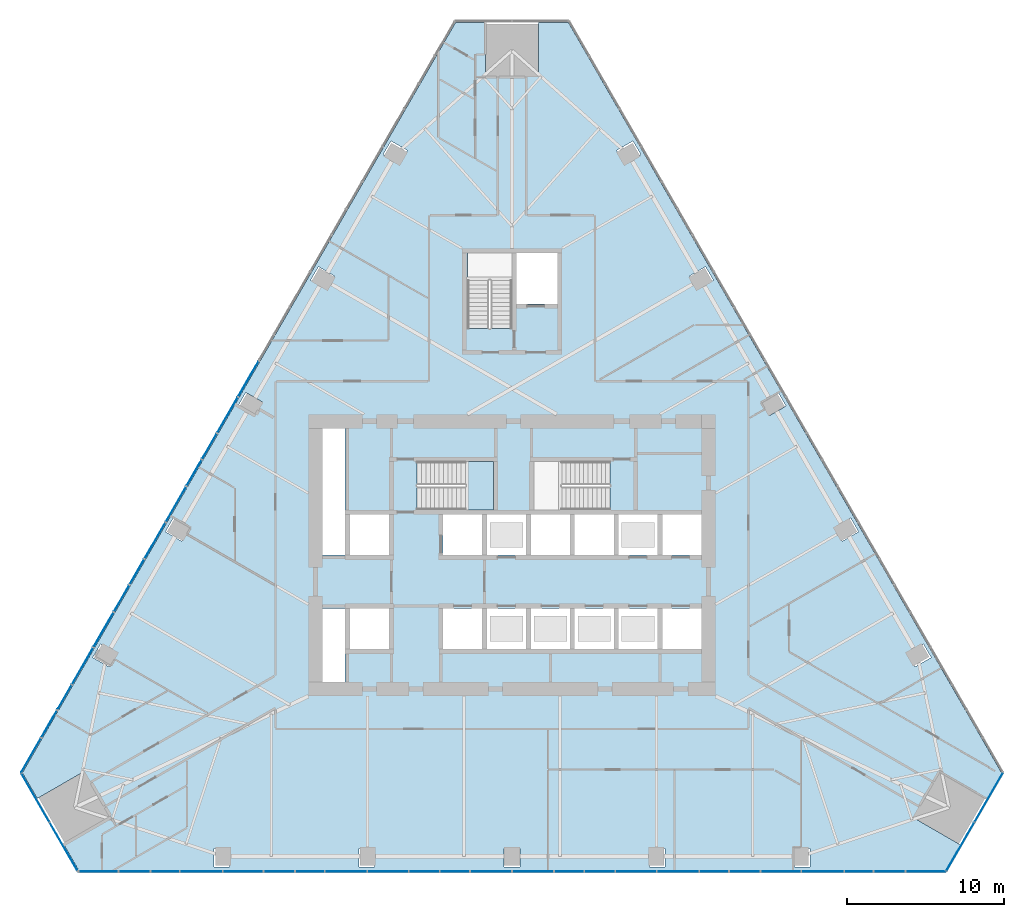
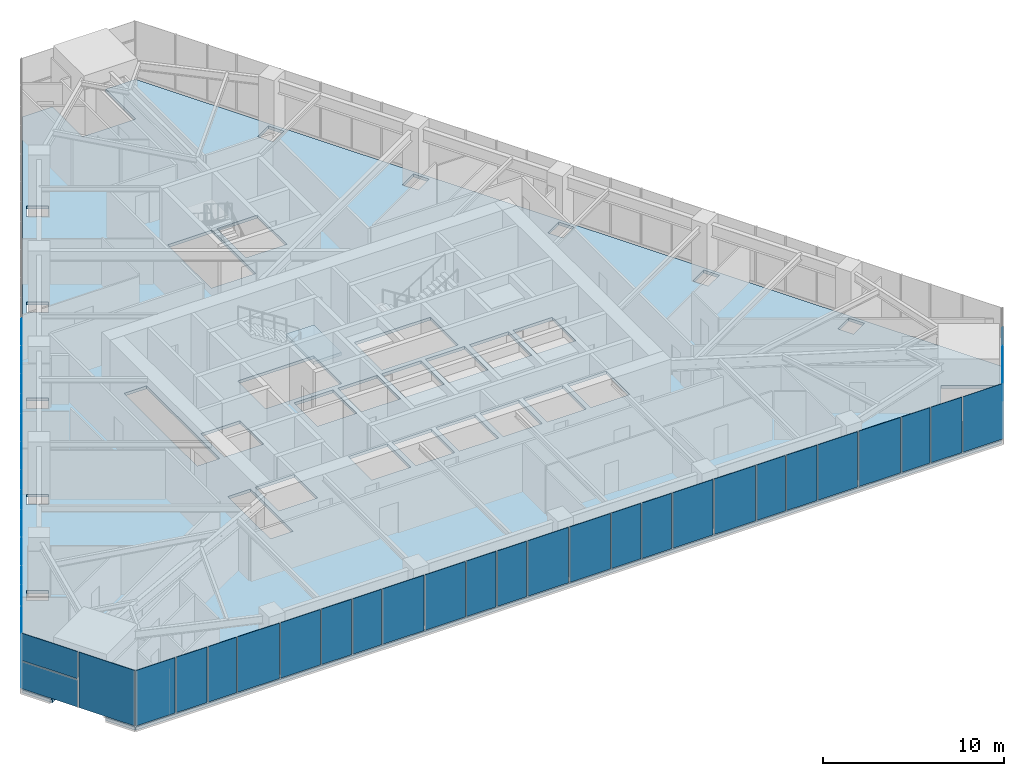
# One storey, part 11 of 19: 44 plates, 2 slabs, 5 elements without a shape of their own.
"""IFC4 building model written with IfcOpenShell, lengths in metres."""

from ifc_helpers import new_model, si_unit, direction, frame, origin, place, context, subcontext, project, spatial, polyline, outline, extrude, material, layer, layer_set, type_object, element, aggregate, save


model = new_model("IFC4")

# Units and contexts
model_context = context("Model", 3, precision=1e-05, world=origin(), true_north=direction((0.0, 1.0)))
body_context = subcontext(model_context, "Body", "Model", "MODEL_VIEW")
ifc_project = project(units=[si_unit("LENGTHUNIT", "METRE"), si_unit("AREAUNIT", "SQUARE_METRE"), si_unit("VOLUMEUNIT", "CUBIC_METRE"), si_unit("PLANEANGLEUNIT", "RADIAN"), si_unit("MASSUNIT", "GRAM", prefix="KILO")], contexts=[model_context])

# Site, building, storey
site_placement = place(None, origin())
site = spatial("IfcSite", under=ifc_project, at=site_placement, CompositionType="ELEMENT")
building_placement = place(site_placement, origin())
building = spatial("IfcBuilding", under=site, at=building_placement, Name="Firuza Gate Tower and Library", CompositionType="ELEMENT")
storey_placement = place(building_placement, frame((0.0, 0.0, 136.60009765625)))
storey = spatial("IfcBuildingStorey", under=building, at=storey_placement, Name="L31", CompositionType="ELEMENT", Elevation=136.60009765625)

# Slab
ifc_material_1 = material(Name="Concrete C40/50", Category="concrete")
ifc_layer_1 = layer(ifc_material_1, 0.199951171875)
ifc_layer_set_1 = layer_set([ifc_layer_1], Name="Composite floor slab 200 C40/50")
slab_type_1 = type_object("IfcSlabType", Name="Composite floor slab 200 C40/50", PredefinedType="FLOOR", material=ifc_layer_set_1)
slab_1_placement = place(storey_placement, frame((0.0, 0.0, -0.2001953125)))
element("IfcSlab", 1, at=slab_1_placement, inside=storey, type_object=slab_type_1, Name="Floor slab L31", PredefinedType="FLOOR", context=body_context, shape_type="SweptSolid", body=[
    extrude(outline(polyline([(102.66943359375, 54.8681640625), (103.619384765625, 56.513671875), (100.73583984375, 58.178466796875), (102.435791015625, 61.123046875), (105.3193359375, 59.4580078125), (106.269287109375, 61.103515625), (78.60009765625, 109.0283203125), (76.699951171875, 109.0283203125), (76.699951171875, 105.698486328125), (73.300048828125, 105.698486328125), (73.300048828125, 109.0283203125), (71.39990234375, 109.0283203125), (43.730712890625, 61.103515625), (44.6806640625, 59.4580078125), (47.564208984375, 61.123046875), (49.26416015625, 58.178466796875), (46.380615234375, 56.513671875), (47.33056640625, 54.8681640625), (102.66943359375, 54.8681640625)]), holes=[polyline([(55.955322265625, 55.0830078125), (55.955322265625, 56.282958984375), (56.955322265625, 56.282958984375), (56.955322265625, 55.0830078125), (55.955322265625, 55.0830078125)]), polyline([(65.227783203125, 55.0830078125), (65.227783203125, 56.282958984375), (66.227783203125, 56.282958984375), (66.227783203125, 55.0830078125), (65.227783203125, 55.0830078125)]), polyline([(48.72900390625, 69.33154296875), (49.768310546875, 68.7314453125), (49.268310546875, 67.865478515625), (48.22900390625, 68.46533203125), (48.72900390625, 69.33154296875)]), polyline([(64.35009765625, 66.89990234375), (62.89990234375, 66.89990234375), (62.89990234375, 71.60009765625), (64.35009765625, 71.60009765625), (64.35009765625, 66.89990234375)]), polyline([(75.89990234375, 69.0), (73.39990234375, 69.0), (73.39990234375, 71.60009765625), (75.89990234375, 71.60009765625), (75.89990234375, 69.0)]), polyline([(73.10009765625, 69.0), (70.60009765625, 69.0), (70.60009765625, 71.60009765625), (73.10009765625, 71.60009765625), (73.10009765625, 69.0)]), polyline([(64.64990234375, 69.0), (64.64990234375, 71.60009765625), (67.14990234375, 71.60009765625), (67.14990234375, 69.0), (64.64990234375, 69.0)]), polyline([(64.64990234375, 75.0), (64.64990234375, 77.60009765625), (67.14990234375, 77.60009765625), (67.14990234375, 75.0), (64.64990234375, 75.0)]), polyline([(75.89990234375, 75.0), (73.39990234375, 75.0), (73.39990234375, 77.60009765625), (75.89990234375, 77.60009765625), (75.89990234375, 75.0)]), polyline([(73.10009765625, 75.0), (70.60009765625, 75.0), (70.60009765625, 77.60009765625), (73.10009765625, 77.60009765625), (73.10009765625, 75.0)]), polyline([(53.365234375, 77.361572265625), (54.404541015625, 76.761474609375), (53.904541015625, 75.8955078125), (52.865234375, 76.495361328125), (53.365234375, 77.361572265625)]), polyline([(62.89990234375, 75.0), (62.89990234375, 83.10009765625), (64.35009765625, 83.10009765625), (64.35009765625, 75.0), (62.89990234375, 75.0)]), polyline([(68.9404296875, 77.89990234375), (68.9404296875, 80.97998046875), (73.81005859375, 80.97998046875), (73.81005859375, 77.89990234375), (68.9404296875, 77.89990234375)]), polyline([(58.00146484375, 85.3916015625), (59.04052734375, 84.79150390625), (58.54052734375, 83.925537109375), (57.50146484375, 84.525390625), (58.00146484375, 85.3916015625)]), polyline([(72.159912109375, 89.470458984375), (72.159912109375, 94.300048828125), (75.0, 94.300048828125), (75.0, 89.470458984375), (72.159912109375, 89.470458984375)]), polyline([(62.637451171875, 93.421630859375), (63.6767578125, 92.821533203125), (63.1767578125, 91.95556640625), (62.137451171875, 92.555419921875), (62.637451171875, 93.421630859375)]), polyline([(68.31298828125, 100.8515625), (67.81298828125, 99.985595703125), (66.773681640625, 100.58544921875), (67.273681640625, 101.45166015625), (68.31298828125, 100.8515625)]), polyline([(93.044677734375, 55.0830078125), (93.044677734375, 56.282958984375), (94.044677734375, 56.282958984375), (94.044677734375, 55.0830078125), (93.044677734375, 55.0830078125)]), polyline([(74.5, 55.0830078125), (74.5, 56.282958984375), (75.5, 56.282958984375), (75.5, 55.0830078125), (74.5, 55.0830078125)]), polyline([(83.772216796875, 55.0830078125), (83.772216796875, 56.282958984375), (84.772216796875, 56.282958984375), (84.772216796875, 55.0830078125), (83.772216796875, 55.0830078125)]), polyline([(101.77099609375, 68.46533203125), (100.731689453125, 67.865478515625), (100.231689453125, 68.7314453125), (101.27099609375, 69.33154296875), (101.77099609375, 68.46533203125)]), polyline([(78.699951171875, 69.0), (76.199951171875, 69.0), (76.199951171875, 71.60009765625), (78.699951171875, 71.60009765625), (78.699951171875, 69.0)]), polyline([(81.5, 69.0), (79.0, 69.0), (79.0, 71.60009765625), (81.5, 71.60009765625), (81.5, 69.0)]), polyline([(84.60009765625, 69.0), (84.60009765625, 71.60009765625), (87.10009765625, 71.60009765625), (87.10009765625, 69.0), (84.60009765625, 69.0)]), polyline([(81.800048828125, 69.0), (81.800048828125, 71.60009765625), (84.300048828125, 71.60009765625), (84.300048828125, 69.0), (81.800048828125, 69.0)]), polyline([(84.300048828125, 75.0), (81.800048828125, 75.0), (81.800048828125, 77.60009765625), (84.300048828125, 77.60009765625), (84.300048828125, 75.0)]), polyline([(87.10009765625, 75.0), (84.60009765625, 75.0), (84.60009765625, 77.60009765625), (87.10009765625, 77.60009765625), (87.10009765625, 75.0)]), polyline([(81.5, 75.0), (79.0, 75.0), (79.0, 77.60009765625), (81.5, 77.60009765625), (81.5, 75.0)]), polyline([(76.199951171875, 75.0), (76.199951171875, 77.60009765625), (78.699951171875, 77.60009765625), (78.699951171875, 75.0), (76.199951171875, 75.0)]), polyline([(96.095458984375, 75.8955078125), (95.595458984375, 76.761474609375), (96.634765625, 77.361572265625), (97.134765625, 76.495361328125), (96.095458984375, 75.8955078125)]), polyline([(81.259521484375, 77.89990234375), (76.389892578125, 77.89990234375), (76.389892578125, 80.97998046875), (81.259521484375, 80.97998046875), (81.259521484375, 77.89990234375)]), polyline([(92.49853515625, 84.525390625), (91.45947265625, 83.925537109375), (90.95947265625, 84.79150390625), (91.99853515625, 85.3916015625), (92.49853515625, 84.525390625)]), polyline([(77.89990234375, 91.050048828125), (75.300048828125, 91.050048828125), (75.300048828125, 94.300048828125), (77.89990234375, 94.300048828125), (77.89990234375, 91.050048828125)]), polyline([(86.8232421875, 91.95556640625), (86.3232421875, 92.821533203125), (87.362548828125, 93.421630859375), (87.862548828125, 92.555419921875), (86.8232421875, 91.95556640625)]), polyline([(82.18701171875, 99.985595703125), (81.68701171875, 100.8515625), (82.726318359375, 101.45166015625), (83.226318359375, 100.58544921875), (82.18701171875, 99.985595703125)])]), origin(), (0.0, 0.0, 1.0), 0.2001953125),
])

# Curtain wall, plates
ifc_material_2 = material(Name="Aluminium 6063-T6", Category="aluminium")
ifc_layer_2 = layer(ifc_material_2, 0.14990234375)
ifc_layer_set_2 = layer_set([ifc_layer_2], Name="Corner curtain wall, chamfers")
curtain_wall_type_1 = type_object("IfcCurtainWallType", Name="Corner curtain wall, chamfers", PredefinedType="NOTDEFINED", material=ifc_layer_set_2)
placement = place(storey_placement, origin())
curtain_wall_1 = element("IfcCurtainWall", 2, at=placement, inside=storey, type_object=curtain_wall_type_1, Name="CW4 L31 SE corner", PredefinedType="NOTDEFINED")
ifc_material_3 = material(Name="Fritted glass", Category="glass")
ifc_layer_3 = layer(ifc_material_3, 0.030029296875)
ifc_layer_set_3 = layer_set([ifc_layer_3], Name="Fritted glass unit, corners")
plate_type_1 = type_object("IfcPlateType", Name="Fritted glass unit, corners", PredefinedType="CURTAIN_PANEL", material=ifc_layer_set_3)
plate_1_placement = place(storey_placement, frame((102.74560546875, 54.8203125, 0.14990234375), z_axis=(0.866016723041, -0.500015035186, 0.0), x_axis=(0.500015035186, 0.866016723041, 0.0)))
plate_1 = element("IfcPlate", 3, at=plate_1_placement, type_object=plate_type_1, Name="Glass unit", PredefinedType="CURTAIN_PANEL", context=body_context, shape_type="SweptSolid", body=[
    extrude(outline(polyline([(0.0, 0.0), (3.5633694106530625, 0.0), (3.5633694106530625, 1.8349609375), (0.0, 1.8349609375), (0.0, 0.0)])), origin(), (0.0, 0.0, -1.0), 0.030029296875),
])
plate_2_placement = place(storey_placement, frame((104.5673828125, 57.9755859375, 0.14990234375), z_axis=(0.866029262436, -0.49999331656, 0.0), x_axis=(0.49999331656, 0.866029262436, 0.0)))
plate_2 = element("IfcPlate", 4, at=plate_2_placement, type_object=plate_type_1, Name="Glass unit", PredefinedType="CURTAIN_PANEL", context=body_context, shape_type="SweptSolid", body=[
    extrude(outline(polyline([(0.0, 0.0), (3.563035907926298, 0.0), (3.563035907926298, 1.260009765625), (0.0, 1.260009765625), (0.0, 0.0)])), origin(), (0.0, 0.0, -1.0), 0.030029296875),
])
plate_3_placement = place(storey_placement, frame((104.5673828125, 57.9755859375, 1.489990234375), z_axis=(0.866029262436, -0.49999331656, 0.0), x_axis=(0.49999331656, 0.866029262436, 0.0)))
plate_3 = element("IfcPlate", 5, at=plate_3_placement, type_object=plate_type_1, Name="Glass unit", PredefinedType="CURTAIN_PANEL", context=body_context, shape_type="SweptSolid", body=[
    extrude(outline(polyline([(0.0, 0.0), (3.563035907926298, 0.0), (3.563035907926298, 1.14501953125), (0.0, 1.14501953125), (0.0, 0.0)])), origin(), (0.0, 0.0, -1.0), 0.030029296875),
])

# Curtain wall, plate
curtain_wall_2 = element("IfcCurtainWall", 6, at=placement, inside=storey, type_object=curtain_wall_type_1, Name="CW4 L31 SW corner", PredefinedType="NOTDEFINED")
plate_4_placement = place(storey_placement, frame((43.651123046875, 61.061279296875, 0.14990234375), z_axis=(-0.866029262436, -0.49999331656, 0.0), x_axis=(0.49999331656, -0.866029262436, 0.0)))
plate_4 = element("IfcPlate", 7, at=plate_4_placement, type_object=plate_type_1, Name="Glass unit", PredefinedType="CURTAIN_PANEL", context=body_context, shape_type="SweptSolid", body=[
    extrude(outline(polyline([(0.0, 0.0), (3.563035907926298, 0.0), (3.563035907926298, 1.8349609375), (0.0, 1.8349609375), (0.0, 0.0)])), origin(), (0.0, 0.0, -1.0), 0.030029296875),
])

# Curtain wall, plates
ifc_material_4 = material(Name="Aluminium 6063-T6", Category="aluminium")
ifc_layer_4 = layer(ifc_material_4, 0.14990234375)
ifc_layer_set_4 = layer_set([ifc_layer_4], Name="Unitised curtain wall, offices")
curtain_wall_type_2 = type_object("IfcCurtainWallType", Name="Unitised curtain wall, offices", PredefinedType="NOTDEFINED", material=ifc_layer_set_4)
curtain_wall_3 = element("IfcCurtainWall", 8, at=placement, inside=storey, type_object=curtain_wall_type_2, Name="CW1 L31 S face", PredefinedType="NOTDEFINED")
ifc_material_5 = material(Name="Fritted glass", Category="glass")
ifc_layer_5 = layer(ifc_material_5, 0.030029296875)
ifc_layer_set_5 = layer_set([ifc_layer_5], Name="Fritted glass unit, offices")
plate_type_2 = type_object("IfcPlateType", Name="Fritted glass unit, offices", PredefinedType="CURTAIN_PANEL", material=ifc_layer_set_5)
plate_5_placement = place(storey_placement, frame((49.903076171875, 54.778076171875, 0.14990234375), z_axis=(0.0, -1.0, 0.0), x_axis=(1.0, 0.0, 0.0)))
plate_5 = element("IfcPlate", 9, at=plate_5_placement, type_object=plate_type_2, Name="Glass unit", PredefinedType="CURTAIN_PANEL", context=body_context, shape_type="SweptSolid", body=[
    extrude(outline(polyline([(0.0, 0.0), (1.963134765625, 0.0), (1.963134765625, 3.75), (0.0, 3.75), (0.0, 0.0)])), origin(), (0.0, 0.0, -1.0), 0.030029296875),
])
plate_6_placement = place(storey_placement, frame((51.946044921875, 54.778076171875, 0.14990234375), z_axis=(0.0, -1.0, 0.0), x_axis=(1.0, 0.0, 0.0)))
plate_6 = element("IfcPlate", 10, at=plate_6_placement, type_object=plate_type_2, Name="Glass unit", PredefinedType="CURTAIN_PANEL", context=body_context, shape_type="SweptSolid", body=[
    extrude(outline(polyline([(0.0, 0.0), (1.789306640625, 0.0), (1.789306640625, 3.75), (0.0, 3.75), (0.0, 0.0)])), origin(), (0.0, 0.0, -1.0), 0.030029296875),
])
plate_7_placement = place(storey_placement, frame((59.175537109375, 54.778076171875, 0.14990234375), z_axis=(0.0, -1.0, 0.0), x_axis=(1.0, 0.0, 0.0)))
plate_7 = element("IfcPlate", 11, at=plate_7_placement, type_object=plate_type_2, Name="Glass unit", PredefinedType="CURTAIN_PANEL", context=body_context, shape_type="SweptSolid", body=[
    extrude(outline(polyline([(0.0, 0.0), (1.92822265625, 0.0), (1.92822265625, 3.75), (0.0, 3.75), (0.0, 0.0)])), origin(), (0.0, 0.0, -1.0), 0.030029296875),
])
plate_8_placement = place(storey_placement, frame((61.18359375, 54.778076171875, 0.14990234375), z_axis=(0.0, -1.0, 0.0), x_axis=(1.0, 0.0, 0.0)))
plate_8 = element("IfcPlate", 12, at=plate_8_placement, type_object=plate_type_2, Name="Glass unit", PredefinedType="CURTAIN_PANEL", context=body_context, shape_type="SweptSolid", body=[
    extrude(outline(polyline([(0.0, 0.0), (1.823974609375, 0.0), (1.823974609375, 3.75), (0.0, 3.75), (0.0, 0.0)])), origin(), (0.0, 0.0, -1.0), 0.030029296875),
])
plate_9_placement = place(storey_placement, frame((68.44775390625, 54.778076171875, 0.14990234375), z_axis=(0.0, -1.0, 0.0), x_axis=(1.0, 0.0, 0.0)))
plate_9 = element("IfcPlate", 13, at=plate_9_placement, type_object=plate_type_2, Name="Glass unit", PredefinedType="CURTAIN_PANEL", context=body_context, shape_type="SweptSolid", body=[
    extrude(outline(polyline([(0.0, 0.0), (1.8935546875, 0.0), (1.8935546875, 3.75), (0.0, 3.75), (0.0, 0.0)])), origin(), (0.0, 0.0, -1.0), 0.030029296875),
])
plate_10_placement = place(storey_placement, frame((70.421142578125, 54.778076171875, 0.14990234375), z_axis=(0.0, -1.0, 0.0), x_axis=(1.0, 0.0, 0.0)))
plate_10 = element("IfcPlate", 14, at=plate_10_placement, type_object=plate_type_2, Name="Glass unit", PredefinedType="CURTAIN_PANEL", context=body_context, shape_type="SweptSolid", body=[
    extrude(outline(polyline([(0.0, 0.0), (1.85888671875, 0.0), (1.85888671875, 3.75), (0.0, 3.75), (0.0, 0.0)])), origin(), (0.0, 0.0, -1.0), 0.030029296875),
])
plate_11_placement = place(storey_placement, frame((77.719970703125, 54.778076171875, 0.14990234375), z_axis=(0.0, -1.0, 0.0), x_axis=(1.0, 0.0, 0.0)))
plate_11 = element("IfcPlate", 15, at=plate_11_placement, type_object=plate_type_2, Name="Glass unit", PredefinedType="CURTAIN_PANEL", context=body_context, shape_type="SweptSolid", body=[
    extrude(outline(polyline([(0.0, 0.0), (1.85888671875, 0.0), (1.85888671875, 3.75), (0.0, 3.75), (0.0, 0.0)])), origin(), (0.0, 0.0, -1.0), 0.030029296875),
])
plate_12_placement = place(storey_placement, frame((79.65869140625, 54.778076171875, 0.14990234375), z_axis=(0.0, -1.0, 0.0), x_axis=(1.0, 0.0, 0.0)))
plate_12 = element("IfcPlate", 16, at=plate_12_placement, type_object=plate_type_2, Name="Glass unit", PredefinedType="CURTAIN_PANEL", context=body_context, shape_type="SweptSolid", body=[
    extrude(outline(polyline([(0.0, 0.0), (1.8935546875, 0.0), (1.8935546875, 3.75), (0.0, 3.75), (0.0, 0.0)])), origin(), (0.0, 0.0, -1.0), 0.030029296875),
])
plate_13_placement = place(storey_placement, frame((86.992431640625, 54.778076171875, 0.14990234375), z_axis=(0.0, -1.0, 0.0), x_axis=(1.0, 0.0, 0.0)))
plate_13 = element("IfcPlate", 17, at=plate_13_placement, type_object=plate_type_2, Name="Glass unit", PredefinedType="CURTAIN_PANEL", context=body_context, shape_type="SweptSolid", body=[
    extrude(outline(polyline([(0.0, 0.0), (1.823974609375, 0.0), (1.823974609375, 3.75), (0.0, 3.75), (0.0, 0.0)])), origin(), (0.0, 0.0, -1.0), 0.030029296875),
])
plate_14_placement = place(storey_placement, frame((88.896240234375, 54.778076171875, 0.14990234375), z_axis=(0.0, -1.0, 0.0), x_axis=(1.0, 0.0, 0.0)))
plate_14 = element("IfcPlate", 18, at=plate_14_placement, type_object=plate_type_2, Name="Glass unit", PredefinedType="CURTAIN_PANEL", context=body_context, shape_type="SweptSolid", body=[
    extrude(outline(polyline([(0.0, 0.0), (1.92822265625, 0.0), (1.92822265625, 3.75), (0.0, 3.75), (0.0, 0.0)])), origin(), (0.0, 0.0, -1.0), 0.030029296875),
])
plate_15_placement = place(storey_placement, frame((96.2646484375, 54.778076171875, 0.14990234375), z_axis=(0.0, -1.0, 0.0), x_axis=(1.0, 0.0, 0.0)))
plate_15 = element("IfcPlate", 19, at=plate_15_placement, type_object=plate_type_2, Name="Glass unit", PredefinedType="CURTAIN_PANEL", context=body_context, shape_type="SweptSolid", body=[
    extrude(outline(polyline([(0.0, 0.0), (1.789306640625, 0.0), (1.789306640625, 3.75), (0.0, 3.75), (0.0, 0.0)])), origin(), (0.0, 0.0, -1.0), 0.030029296875),
])
plate_16_placement = place(storey_placement, frame((98.1337890625, 54.778076171875, 0.14990234375), z_axis=(0.0, -1.0, 0.0), x_axis=(1.0, 0.0, 0.0)))
plate_16 = element("IfcPlate", 20, at=plate_16_placement, type_object=plate_type_2, Name="Glass unit", PredefinedType="CURTAIN_PANEL", context=body_context, shape_type="SweptSolid", body=[
    extrude(outline(polyline([(0.0, 0.0), (1.963134765625, 0.0), (1.963134765625, 3.75), (0.0, 3.75), (0.0, 0.0)])), origin(), (0.0, 0.0, -1.0), 0.030029296875),
])

curtain_wall_4 = element("IfcCurtainWall", 21, at=placement, inside=storey, type_object=curtain_wall_type_2, Name="CW1 L31 W face", PredefinedType="NOTDEFINED")
plate_17_placement = place(storey_placement, frame((56.12744140625, 82.75537109375, 0.14990234375), z_axis=(-0.866028115054, 0.499995303914, 0.0), x_axis=(-0.499995303914, -0.866028115054, 0.0)))
plate_17 = element("IfcPlate", 22, at=plate_17_placement, type_object=plate_type_2, Name="Glass unit", PredefinedType="CURTAIN_PANEL", context=body_context, shape_type="SweptSolid", body=[
    extrude(outline(polyline([(0.0, 0.0), (1.8589041778971025, 0.0), (1.8589041778971025, 3.75), (0.0, 3.75), (0.0, 0.0)])), origin(), (0.0, 0.0, -1.0), 0.030029296875),
])
plate_18_placement = place(storey_placement, frame((55.157958984375, 81.076416015625, 0.14990234375), z_axis=(-0.866028851642, 0.499994028088, 0.0), x_axis=(-0.499994028088, -0.866028851642, 0.0)))
plate_18 = element("IfcPlate", 23, at=plate_18_placement, type_object=plate_type_2, Name="Glass unit", PredefinedType="CURTAIN_PANEL", context=body_context, shape_type="SweptSolid", body=[
    extrude(outline(polyline([(0.0, 0.0), (1.8935773040538286, 0.0), (1.8935773040538286, 3.75), (0.0, 3.75), (0.0, 0.0)])), origin(), (0.0, 0.0, -1.0), 0.030029296875),
])
plate_19_placement = place(storey_placement, frame((51.4912109375, 74.725341796875, 0.14990234375), z_axis=(-0.866027350463, 0.499996628238, 0.0), x_axis=(-0.499996628238, -0.866027350463, 0.0)))
plate_19 = element("IfcPlate", 24, at=plate_19_placement, type_object=plate_type_2, Name="Glass unit", PredefinedType="CURTAIN_PANEL", context=body_context, shape_type="SweptSolid", body=[
    extrude(outline(polyline([(0.0, 0.0), (1.8242310517445641, 0.0), (1.8242310517445641, 3.75), (0.0, 3.75), (0.0, 0.0)])), origin(), (0.0, 0.0, -1.0), 0.030029296875),
])
plate_20_placement = place(storey_placement, frame((50.539306640625, 73.076416015625, 0.14990234375), z_axis=(-0.866029561738, 0.499992798144, 0.0), x_axis=(-0.499992798144, -0.866029561738, 0.0)))
plate_20 = element("IfcPlate", 25, at=plate_20_placement, type_object=plate_type_2, Name="Glass unit", PredefinedType="CURTAIN_PANEL", context=body_context, shape_type="SweptSolid", body=[
    extrude(outline(polyline([(0.0, 0.0), (1.9282504302145163, 0.0), (1.9282504302145163, 3.75), (0.0, 3.75), (0.0, 0.0)])), origin(), (0.0, 0.0, -1.0), 0.030029296875),
])
plate_21_placement = place(storey_placement, frame((46.85498046875, 66.6953125, 0.14990234375), z_axis=(-0.866051527458, 0.499954749741, 0.0), x_axis=(-0.499954749741, -0.866051527458, 0.0)))
plate_21 = element("IfcPlate", 26, at=plate_21_placement, type_object=plate_type_2, Name="Glass unit", PredefinedType="CURTAIN_PANEL", context=body_context, shape_type="SweptSolid", body=[
    extrude(outline(polyline([(0.0, 0.0), (1.7892244257381775, 0.0), (1.7892244257381775, 3.75), (0.0, 3.75), (0.0, 0.0)])), origin(), (0.0, 0.0, -1.0), 0.030029296875),
])
plate_22_placement = place(storey_placement, frame((45.92041015625, 65.076416015625, 0.14990234375), z_axis=(-0.866030246746, 0.49999161165, 0.0), x_axis=(-0.49999161165, -0.866030246746, 0.0)))
plate_22 = element("IfcPlate", 27, at=plate_22_placement, type_object=plate_type_2, Name="Glass unit", PredefinedType="CURTAIN_PANEL", context=body_context, shape_type="SweptSolid", body=[
    extrude(outline(polyline([(0.0, 0.0), (1.962923556378956, 0.0), (1.962923556378956, 3.75), (0.0, 3.75), (0.0, 0.0)])), origin(), (0.0, 0.0, -1.0), 0.030029296875),
])

# Plate
ifc_material_6 = material(Name="Glazed ceramic tile")
ifc_layer_6 = layer(ifc_material_6, 0.030029296875)
ifc_layer_set_6 = layer_set([ifc_layer_6], Name="Opaque ceramic panel, corners")
plate_type_3 = type_object("IfcPlateType", Name="Opaque ceramic panel, corners", PredefinedType="CURTAIN_PANEL", material=ifc_layer_set_6)
plate_23_placement = place(storey_placement, frame((102.74560546875, 54.8203125, 2.06494140625), z_axis=(0.866016723041, -0.500015035186, 0.0), x_axis=(0.500015035186, 0.866016723041, 0.0)))
plate_23 = element("IfcPlate", 28, at=plate_23_placement, type_object=plate_type_3, Name="Opaque ceramic panel", PredefinedType="CURTAIN_PANEL", context=body_context, shape_type="SweptSolid", body=[
    extrude(outline(polyline([(0.0, 0.0), (3.5633694106530625, 0.0), (3.5633694106530625, 1.8349609375), (0.0, 1.8349609375), (0.0, 0.0)])), origin(), (0.0, 0.0, -1.0), 0.030029296875),
])

aggregate(curtain_wall_1, [plate_1, plate_23, plate_2, plate_3])

plate_24_placement = place(storey_placement, frame((43.651123046875, 61.061279296875, 2.06494140625), z_axis=(-0.866029262436, -0.49999331656, 0.0), x_axis=(0.49999331656, -0.866029262436, 0.0)))
plate_24 = element("IfcPlate", 29, at=plate_24_placement, type_object=plate_type_3, Name="Opaque ceramic panel", PredefinedType="CURTAIN_PANEL", context=body_context, shape_type="SweptSolid", body=[
    extrude(outline(polyline([(0.0, 0.0), (3.563035907926298, 0.0), (3.563035907926298, 1.8349609375), (0.0, 1.8349609375), (0.0, 0.0)])), origin(), (0.0, 0.0, -1.0), 0.030029296875),
])

plate_25_placement = place(storey_placement, frame((45.47265625, 57.90625, 0.14990234375), z_axis=(-0.866016723041, -0.500015035186, 0.0), x_axis=(0.500015035186, -0.866016723041, 0.0)))
plate_25 = element("IfcPlate", 30, at=plate_25_placement, type_object=plate_type_3, Name="Opaque ceramic panel", PredefinedType="CURTAIN_PANEL", context=body_context, shape_type="SweptSolid", body=[
    extrude(outline(polyline([(0.0, 0.0), (3.5633694106530625, 0.0), (3.5633694106530625, 3.7499999999999996), (0.0, 3.7499999999999996), (0.0, 0.0)])), origin(), (0.0, 0.0, -1.0), 0.030029296875),
])

aggregate(curtain_wall_2, [plate_4, plate_24, plate_25])

ifc_material_7 = material(Name="Glazed ceramic tile")
ifc_layer_7 = layer(ifc_material_7, 0.030029296875)
ifc_layer_set_7 = layer_set([ifc_layer_7], Name="Opaque ceramic panel, offices")
plate_type_4 = type_object("IfcPlateType", Name="Opaque ceramic panel, offices", PredefinedType="CURTAIN_PANEL", material=ifc_layer_set_7)
plate_26_placement = place(storey_placement, frame((47.327392578125, 54.778076171875, 0.14990234375), z_axis=(0.0, -1.0, 0.0), x_axis=(1.0, 0.0, 0.0)))
plate_26 = element("IfcPlate", 31, at=plate_26_placement, type_object=plate_type_4, Name="Opaque ceramic panel", PredefinedType="CURTAIN_PANEL", context=body_context, shape_type="SweptSolid", body=[
    extrude(outline(polyline([(0.0, 0.0), (2.495849609375, 0.0), (2.495849609375, 3.75), (0.0, 3.75), (0.0, 0.0)])), origin(), (0.0, 0.0, -1.0), 0.030029296875),
])

plate_27_placement = place(storey_placement, frame((53.8154296875, 54.778076171875, 0.14990234375), z_axis=(0.0, -1.0, 0.0), x_axis=(1.0, 0.0, 0.0)))
plate_27 = element("IfcPlate", 32, at=plate_27_placement, type_object=plate_type_4, Name="Opaque ceramic panel", PredefinedType="CURTAIN_PANEL", context=body_context, shape_type="SweptSolid", body=[
    extrude(outline(polyline([(0.0, 0.0), (2.66943359375, 0.0), (2.66943359375, 3.75), (0.0, 3.75), (0.0, 0.0)])), origin(), (0.0, 0.0, -1.0), 0.030029296875),
])

plate_28_placement = place(storey_placement, frame((56.56494140625, 54.778076171875, 0.14990234375), z_axis=(0.0, -1.0, 0.0), x_axis=(1.0, 0.0, 0.0)))
plate_28 = element("IfcPlate", 33, at=plate_28_placement, type_object=plate_type_4, Name="Opaque ceramic panel", PredefinedType="CURTAIN_PANEL", context=body_context, shape_type="SweptSolid", body=[
    extrude(outline(polyline([(0.0, 0.0), (2.530517578125, 0.0), (2.530517578125, 3.75), (0.0, 3.75), (0.0, 0.0)])), origin(), (0.0, 0.0, -1.0), 0.030029296875),
])

plate_29_placement = place(storey_placement, frame((63.087646484375, 54.778076171875, 0.14990234375), z_axis=(0.0, -1.0, 0.0), x_axis=(1.0, 0.0, 0.0)))
plate_29 = element("IfcPlate", 34, at=plate_29_placement, type_object=plate_type_4, Name="Opaque ceramic panel", PredefinedType="CURTAIN_PANEL", context=body_context, shape_type="SweptSolid", body=[
    extrude(outline(polyline([(0.0, 0.0), (2.634765625, 0.0), (2.634765625, 3.75), (0.0, 3.75), (0.0, 0.0)])), origin(), (0.0, 0.0, -1.0), 0.030029296875),
])

plate_30_placement = place(storey_placement, frame((65.802490234375, 54.778076171875, 0.14990234375), z_axis=(0.0, -1.0, 0.0), x_axis=(1.0, 0.0, 0.0)))
plate_30 = element("IfcPlate", 35, at=plate_30_placement, type_object=plate_type_4, Name="Opaque ceramic panel", PredefinedType="CURTAIN_PANEL", context=body_context, shape_type="SweptSolid", body=[
    extrude(outline(polyline([(0.0, 0.0), (2.565185546875, 0.0), (2.565185546875, 3.75), (0.0, 3.75), (0.0, 0.0)])), origin(), (0.0, 0.0, -1.0), 0.030029296875),
])

plate_31_placement = place(storey_placement, frame((72.35986328125, 54.778076171875, 0.14990234375), z_axis=(0.0, -1.0, 0.0), x_axis=(1.0, 0.0, 0.0)))
plate_31 = element("IfcPlate", 36, at=plate_31_placement, type_object=plate_type_4, Name="Opaque ceramic panel", PredefinedType="CURTAIN_PANEL", context=body_context, shape_type="SweptSolid", body=[
    extrude(outline(polyline([(0.0, 0.0), (2.60009765625, 0.0), (2.60009765625, 3.75), (0.0, 3.75), (0.0, 0.0)])), origin(), (0.0, 0.0, -1.0), 0.030029296875),
])

plate_32_placement = place(storey_placement, frame((75.0400390625, 54.778076171875, 0.14990234375), z_axis=(0.0, -1.0, 0.0), x_axis=(1.0, 0.0, 0.0)))
plate_32 = element("IfcPlate", 37, at=plate_32_placement, type_object=plate_type_4, Name="Opaque ceramic panel", PredefinedType="CURTAIN_PANEL", context=body_context, shape_type="SweptSolid", body=[
    extrude(outline(polyline([(0.0, 0.0), (2.60009765625, 0.0), (2.60009765625, 3.75), (0.0, 3.75), (0.0, 0.0)])), origin(), (0.0, 0.0, -1.0), 0.030029296875),
])

plate_33_placement = place(storey_placement, frame((81.63232421875, 54.778076171875, 0.14990234375), z_axis=(0.0, -1.0, 0.0), x_axis=(1.0, 0.0, 0.0)))
plate_33 = element("IfcPlate", 38, at=plate_33_placement, type_object=plate_type_4, Name="Opaque ceramic panel", PredefinedType="CURTAIN_PANEL", context=body_context, shape_type="SweptSolid", body=[
    extrude(outline(polyline([(0.0, 0.0), (2.565185546875, 0.0), (2.565185546875, 3.75), (0.0, 3.75), (0.0, 0.0)])), origin(), (0.0, 0.0, -1.0), 0.030029296875),
])

plate_34_placement = place(storey_placement, frame((84.277587890625, 54.778076171875, 0.14990234375), z_axis=(0.0, -1.0, 0.0), x_axis=(1.0, 0.0, 0.0)))
plate_34 = element("IfcPlate", 39, at=plate_34_placement, type_object=plate_type_4, Name="Opaque ceramic panel", PredefinedType="CURTAIN_PANEL", context=body_context, shape_type="SweptSolid", body=[
    extrude(outline(polyline([(0.0, 0.0), (2.634765625, 0.0), (2.634765625, 3.75), (0.0, 3.75), (0.0, 0.0)])), origin(), (0.0, 0.0, -1.0), 0.030029296875),
])

plate_35_placement = place(storey_placement, frame((90.904541015625, 54.778076171875, 0.14990234375), z_axis=(0.0, -1.0, 0.0), x_axis=(1.0, 0.0, 0.0)))
plate_35 = element("IfcPlate", 40, at=plate_35_placement, type_object=plate_type_4, Name="Opaque ceramic panel", PredefinedType="CURTAIN_PANEL", context=body_context, shape_type="SweptSolid", body=[
    extrude(outline(polyline([(0.0, 0.0), (2.530517578125, 0.0), (2.530517578125, 3.75), (0.0, 3.75), (0.0, 0.0)])), origin(), (0.0, 0.0, -1.0), 0.030029296875),
])

plate_36_placement = place(storey_placement, frame((93.51513671875, 54.778076171875, 0.14990234375), z_axis=(0.0, -1.0, 0.0), x_axis=(1.0, 0.0, 0.0)))
plate_36 = element("IfcPlate", 41, at=plate_36_placement, type_object=plate_type_4, Name="Opaque ceramic panel", PredefinedType="CURTAIN_PANEL", context=body_context, shape_type="SweptSolid", body=[
    extrude(outline(polyline([(0.0, 0.0), (2.66943359375, 0.0), (2.66943359375, 3.75), (0.0, 3.75), (0.0, 0.0)])), origin(), (0.0, 0.0, -1.0), 0.030029296875),
])

plate_37_placement = place(storey_placement, frame((100.1767578125, 54.778076171875, 0.14990234375), z_axis=(0.0, -1.0, 0.0), x_axis=(1.0, 0.0, 0.0)))
plate_37 = element("IfcPlate", 42, at=plate_37_placement, type_object=plate_type_4, Name="Opaque ceramic panel", PredefinedType="CURTAIN_PANEL", context=body_context, shape_type="SweptSolid", body=[
    extrude(outline(polyline([(0.0, 0.0), (2.495849609375, 0.0), (2.495849609375, 3.75), (0.0, 3.75), (0.0, 0.0)])), origin(), (0.0, 0.0, -1.0), 0.030029296875),
])

aggregate(curtain_wall_3, [plate_26, plate_5, plate_6, plate_27, plate_28, plate_7, plate_8, plate_29, plate_30, plate_9, plate_10, plate_31, plate_32, plate_11, plate_12, plate_33, plate_34, plate_13, plate_14, plate_35, plate_36, plate_15, plate_16, plate_37])

plate_38_placement = place(storey_placement, frame((58.807373046875, 87.397216796875, 0.14990234375), z_axis=(-0.866021400173, 0.500006934395, 0.0), x_axis=(-0.500006934395, -0.866021400173, 0.0)))
plate_38 = element("IfcPlate", 43, at=plate_38_placement, type_object=plate_type_4, Name="Opaque ceramic panel", PredefinedType="CURTAIN_PANEL", context=body_context, shape_type="SweptSolid", body=[
    extrude(outline(polyline([(0.0, 0.0), (2.600061596544259, 0.0), (2.600061596544259, 3.75), (0.0, 3.75), (0.0, 0.0)])), origin(), (0.0, 0.0, -1.0), 0.030029296875),
])

plate_39_placement = place(storey_placement, frame((57.46728515625, 85.076171875, 0.14990234375), z_axis=(-0.866021400173, 0.500006934395, 0.0), x_axis=(-0.500006934395, -0.866021400173, 0.0)))
plate_39 = element("IfcPlate", 44, at=plate_39_placement, type_object=plate_type_4, Name="Opaque ceramic panel", PredefinedType="CURTAIN_PANEL", context=body_context, shape_type="SweptSolid", body=[
    extrude(outline(polyline([(0.0, 0.0), (2.600061596544259, 0.0), (2.600061596544259, 3.75), (0.0, 3.75), (0.0, 0.0)])), origin(), (0.0, 0.0, -1.0), 0.030029296875),
])

plate_40_placement = place(storey_placement, frame((54.171142578125, 79.3671875, 0.14990234375), z_axis=(-0.866061973738, 0.499936653632, 0.0), x_axis=(-0.499936653632, -0.866061973738, 0.0)))
plate_40 = element("IfcPlate", 45, at=plate_40_placement, type_object=plate_type_4, Name="Opaque ceramic panel", PredefinedType="CURTAIN_PANEL", context=body_context, shape_type="SweptSolid", body=[
    extrude(outline(polyline([(0.0, 0.0), (2.5652664068716198, 0.0), (2.5652664068716198, 3.75), (0.0, 3.75), (0.0, 0.0)])), origin(), (0.0, 0.0, -1.0), 0.030029296875),
])

plate_41_placement = place(storey_placement, frame((52.8486328125, 77.076416015625, 0.14990234375), z_axis=(-0.866045181273, 0.499965742821, 0.0), x_axis=(-0.499965742821, -0.866045181273, 0.0)))
plate_41 = element("IfcPlate", 46, at=plate_41_placement, type_object=plate_type_4, Name="Opaque ceramic panel", PredefinedType="CURTAIN_PANEL", context=body_context, shape_type="SweptSolid", body=[
    extrude(outline(polyline([(0.0, 0.0), (2.6349461566447427, 0.0), (2.6349461566447427, 3.75), (0.0, 3.75), (0.0, 0.0)])), origin(), (0.0, 0.0, -1.0), 0.030029296875),
])

plate_42_placement = place(storey_placement, frame((49.53515625, 71.337158203125, 0.14990234375), z_axis=(-0.865995992199, 0.5000509389, 0.0), x_axis=(-0.5000509389, -0.865995992199, 0.0)))
plate_42 = element("IfcPlate", 47, at=plate_42_placement, type_object=plate_type_4, Name="Opaque ceramic panel", PredefinedType="CURTAIN_PANEL", context=body_context, shape_type="SweptSolid", body=[
    extrude(outline(polyline([(0.0, 0.0), (2.5305039165770276, 0.0), (2.5305039165770276, 3.75), (0.0, 3.75), (0.0, 0.0)])), origin(), (0.0, 0.0, -1.0), 0.030029296875),
])

plate_43_placement = place(storey_placement, frame((48.229736328125, 69.076416015625, 0.14990234375), z_axis=(-0.866045482058, 0.499965221797, 0.0), x_axis=(-0.499965221797, -0.866045482058, 0.0)))
plate_43 = element("IfcPlate", 48, at=plate_43_placement, type_object=plate_type_4, Name="Opaque ceramic panel", PredefinedType="CURTAIN_PANEL", context=body_context, shape_type="SweptSolid", body=[
    extrude(outline(polyline([(0.0, 0.0), (2.6696192828749177, 0.0), (2.6696192828749177, 3.75), (0.0, 3.75), (0.0, 0.0)])), origin(), (0.0, 0.0, -1.0), 0.030029296875),
])

plate_44_placement = place(storey_placement, frame((44.89892578125, 63.30712890625, 0.14990234375), z_axis=(-0.866037345973, 0.499979314952, 0.0), x_axis=(-0.499979314952, -0.866037345973, 0.0)))
plate_44 = element("IfcPlate", 49, at=plate_44_placement, type_object=plate_type_4, Name="Opaque ceramic panel", PredefinedType="CURTAIN_PANEL", context=body_context, shape_type="SweptSolid", body=[
    extrude(outline(polyline([(0.0, 0.0), (2.4957087164598426, 0.0), (2.4957087164598426, 3.75), (0.0, 3.75), (0.0, 0.0)])), origin(), (0.0, 0.0, -1.0), 0.030029296875),
])

aggregate(curtain_wall_4, [plate_38, plate_39, plate_17, plate_18, plate_40, plate_41, plate_19, plate_20, plate_42, plate_43, plate_21, plate_22, plate_44])

# Stair, slab
ifc_material_8 = material(Name="Concrete C35/45", Category="concrete")
stair_type = type_object("IfcStairType", Name="Exit stair ST5", PredefinedType="HALF_TURN_STAIR", material=ifc_material_8)
stair = element("IfcStair", 50, at=placement, inside=storey, type_object=stair_type, Name="L31 Stair ST1", PredefinedType="HALF_TURN_STAIR")
ifc_material_9 = material(Name="Concrete C35/45", Category="concrete")
ifc_layer_8 = layer(ifc_material_9, 0.199951171875)
ifc_layer_set_8 = layer_set([ifc_layer_8], Name="Stair landing 200")
slab_type_2 = type_object("IfcSlabType", Name="Stair landing 200", PredefinedType="LANDING", material=ifc_layer_set_8)
slab_2_placement = place(storey_placement, frame((0.0, 0.0, 1.89990234375)))
slab_2 = element("IfcSlab", 51, at=slab_2_placement, type_object=slab_type_2, Name="ST1 landing 1", PredefinedType="LANDING", context=body_context, shape_type="SweptSolid", body=[
    extrude(outline(polyline([(72.02001953125, 77.89990234375), (73.81005859375, 77.89990234375), (73.81005859375, 80.97998046875), (72.02001953125, 80.97998046875), (72.02001953125, 77.89990234375)])), origin(), (0.0, 0.0, 1.0), 0.199951171875),
])
aggregate(stair, [slab_2])

save(model, "model.ifc")
